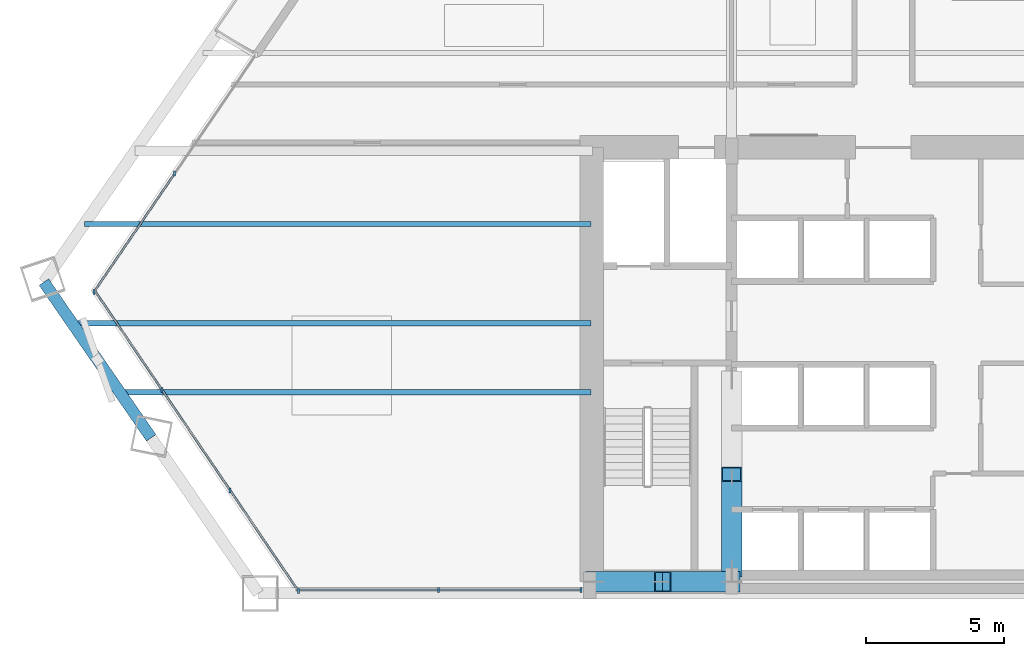
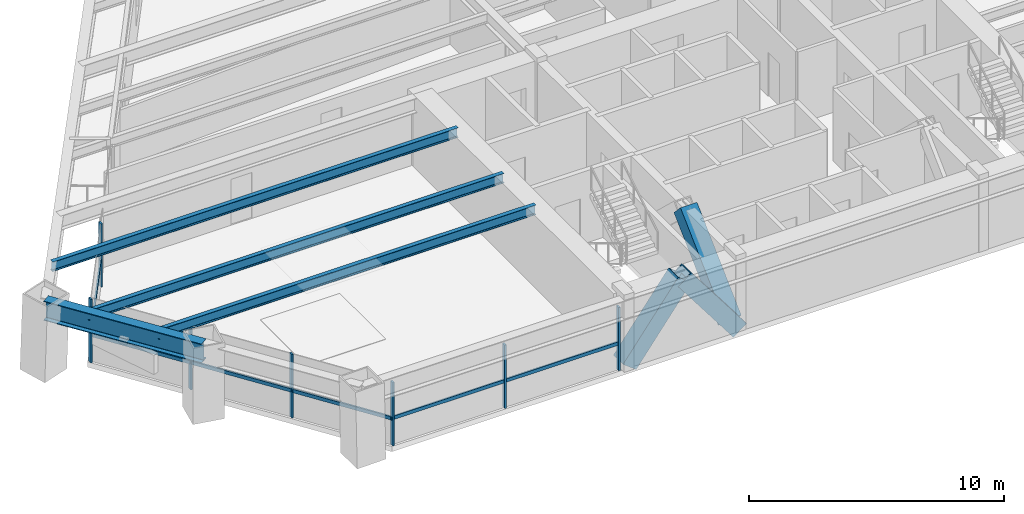
# One storey, part 2 of 14: 16 members, 4 beams, 3 elements without a shape of their own.
"""IFC4 building model written with IfcOpenShell, lengths in metres."""

from ifc_helpers import new_model, si_unit, direction, frame, origin, origin_2d, place, context, subcontext, project, spatial, rectangle, hollow_rectangle, i_section, extrude, source, transform, mapped, material, material_profile, profile_set, type_object, type_shapes, element, aggregate, save


model = new_model("IFC4")

# Units and contexts
model_context = context("Model", 3, precision=1e-05, world=origin(), true_north=direction((0.0, 1.0)))
body_context = subcontext(model_context, "Body", "Model", "MODEL_VIEW")
ifc_project = project(units=[si_unit("LENGTHUNIT", "METRE"), si_unit("AREAUNIT", "SQUARE_METRE"), si_unit("VOLUMEUNIT", "CUBIC_METRE"), si_unit("PLANEANGLEUNIT", "RADIAN"), si_unit("MASSUNIT", "GRAM", prefix="KILO")], contexts=[model_context])

# Site, building, storey
site_placement = place(None, origin())
site = spatial("IfcSite", under=ifc_project, at=site_placement, CompositionType="ELEMENT")
building_placement = place(site_placement, origin())
building = spatial("IfcBuilding", under=site, at=building_placement, Name="Varnakhor Terracotta Tower", CompositionType="ELEMENT")
storey_placement = place(building_placement, frame((0.0, 0.0, 34.89990234375)))
storey = spatial("IfcBuildingStorey", under=building, at=storey_placement, Name="L07", CompositionType="ELEMENT", Elevation=34.89990234375)

# Members
ifc_material_1 = material(Name="Steel S460", Category="steel")
ifc_material_profile_1 = material_profile(ifc_material_1, hollow_rectangle(XDim=0.75, YDim=0.75, WallThickness=0.044921875, at=origin_2d()), Name="HSS750X750X45")
ifc_profile_set_1 = profile_set([ifc_material_profile_1], Name="Steel S460")
member_type_1 = type_object("IfcMemberType", Name="MBR-MEGA-750", PredefinedType="BRACE", material=ifc_profile_set_1)
shared_shape_1 = source(origin(), body_context, "Body", "SweptSolid", [
    extrude(hollow_rectangle(XDim=0.75, YDim=0.75, WallThickness=0.044921875, at=origin_2d()), origin(), (0.0, 0.0, 1.0), 4.14013671875),
])
type_shapes(member_type_1, [shared_shape_1])
for number, where, z_axis, x_axis, name in (
    (1, (-10.5, 0.419921875, 0.0), (0.603852011179, 0.0, 0.797096448741), (0.0, 1.0, 0.0), "L07 Core Coupled Brace CSWA"),
    (2, (-5.5, 0.419921875, 0.0), (-0.603852011179, 0.0, 0.797096448741), (0.0, -1.0, 0.0), "L07 Core Coupled Brace CSWB"),
):
    element("IfcMember", number, at=place(storey_placement, frame(where, z_axis=z_axis, x_axis=x_axis)), inside=storey, type_object=member_type_1, Name=name, PredefinedType="BRACE", context=body_context, shape_type="MappedRepresentation", body=[
        mapped(shared_shape_1, transform((0.0, 0.0, 0.0), scale=1.0)),
    ])
shared_shape_2 = source(origin(), body_context, "Body", "SweptSolid", [
    extrude(hollow_rectangle(XDim=0.75, YDim=0.75, WallThickness=0.044921875, at=origin_2d()), origin(), (0.0, 0.0, 1.0), 4.792236328125),
])
member_1_placement = place(storey_placement, frame((-5.5, 0.85009765625, 0.0), z_axis=(0.0, 0.725110085518, 0.688632967466), x_axis=(-1.0, 0.0, 0.0)))
element("IfcMember", 3, at=member_1_placement, inside=storey, type_object=member_type_1, Name="L07 Core Coupled Brace CWWA", PredefinedType="BRACE", context=body_context, shape_type="MappedRepresentation", body=[
    mapped(shared_shape_2, transform((0.0, 0.0, 0.0), scale=1.0)),
])

# Beams
ifc_material_2 = material(Name="Steel S355", Category="steel")
ifc_material_profile_2 = material_profile(ifc_material_2, i_section(OverallWidth=0.41796875, OverallDepth=0.927001953125, WebThickness=0.01904296875, FlangeThickness=0.031982421875, FilletRadius=0.01806640625, at=origin_2d()), Name="W36X231")
ifc_profile_set_2 = profile_set([ifc_material_profile_2], Name="Steel S355")
beam_type_1 = type_object("IfcBeamType", Name="BM-W36X231", PredefinedType="BEAM", material=ifc_profile_set_2)
shared_shape_3 = source(origin(), body_context, "Body", "SweptSolid", [
    extrude(i_section(OverallWidth=0.41796875, OverallDepth=0.927001953125, WebThickness=0.01904296875, FlangeThickness=0.031982421875, FilletRadius=0.01806640625, at=origin_2d()), origin(), (0.0, 0.0, 1.0), 6.856201171875),
])
beam_1_placement = place(storey_placement, frame((-30.44189453125, 11.291015625, 2.986572265625), z_axis=(0.567429193458, -0.82342219451, 0.0), x_axis=(0.82342219451, 0.567429193458, 0.0)))
element("IfcBeam", 4, at=beam_1_placement, inside=storey, type_object=beam_type_1, Name="L07 Perimeter Spandrel 7", PredefinedType="BEAM", context=body_context, shape_type="MappedRepresentation", body=[
    mapped(shared_shape_3, transform((0.0, 0.0, 0.0), scale=1.0)),
])
ifc_material_profile_3 = material_profile(ifc_material_2, i_section(OverallWidth=0.19189453125, OverallDepth=0.462890625, WebThickness=0.010498046875, FlangeThickness=0.017578125, FilletRadius=0.01806640625, at=origin_2d()), Name="W18X60")
ifc_profile_set_3 = profile_set([ifc_material_profile_3], Name="Steel S355")
beam_type_2 = type_object("IfcBeamType", Name="JST-W18X60", PredefinedType="JOIST", material=ifc_profile_set_3)
shared_shape_4 = source(origin(), body_context, "Body", "SweptSolid", [
    extrude(i_section(OverallWidth=0.19189453125, OverallDepth=0.462890625, WebThickness=0.010498046875, FlangeThickness=0.017578125, FilletRadius=0.01806640625, at=origin_2d()), origin(), (0.0, 0.0, 1.0), 17.091552734375),
])
beam_2_placement = place(storey_placement, frame((-27.691650390625, 7.300048828125, 3.218505859375), z_axis=(1.0, 0.0, 0.0), x_axis=(0.0, 1.0, 0.0)))
element("IfcBeam", 5, at=beam_2_placement, inside=storey, type_object=beam_type_2, Name="L07 Floor Joist W1", PredefinedType="JOIST", context=body_context, shape_type="MappedRepresentation", body=[
    mapped(shared_shape_4, transform((0.0, 0.0, 0.0), scale=1.0)),
])
shared_shape_5 = source(origin(), body_context, "Body", "SweptSolid", [
    extrude(i_section(OverallWidth=0.19189453125, OverallDepth=0.462890625, WebThickness=0.010498046875, FlangeThickness=0.017578125, FilletRadius=0.01806640625, at=origin_2d()), origin(), (0.0, 0.0, 1.0), 18.814208984375),
])
beam_3_placement = place(storey_placement, frame((-29.414306640625, 9.800048828125, 3.218505859375), z_axis=(1.0, 0.0, 0.0), x_axis=(0.0, 1.0, 0.0)))
element("IfcBeam", 6, at=beam_3_placement, inside=storey, type_object=beam_type_2, Name="L07 Floor Joist W2", PredefinedType="JOIST", context=body_context, shape_type="MappedRepresentation", body=[
    mapped(shared_shape_5, transform((0.0, 0.0, 0.0), scale=1.0)),
])
shared_shape_6 = source(origin(), body_context, "Body", "SweptSolid", [
    extrude(i_section(OverallWidth=0.19189453125, OverallDepth=0.462890625, WebThickness=0.010498046875, FlangeThickness=0.017578125, FilletRadius=0.01806640625, at=origin_2d()), origin(), (0.0, 0.0, 1.0), 18.375732421875),
])
beam_4_placement = place(storey_placement, frame((-28.975830078125, 13.39990234375, 3.218505859375), z_axis=(1.0, 0.0, 0.0), x_axis=(0.0, 1.0, 0.0)))
element("IfcBeam", 7, at=beam_4_placement, inside=storey, type_object=beam_type_2, Name="L07 Floor Joist W3", PredefinedType="JOIST", context=body_context, shape_type="MappedRepresentation", body=[
    mapped(shared_shape_6, transform((0.0, 0.0, 0.0), scale=1.0)),
])

# Curtain wall, members
ifc_material_3 = material(Name="Anodised Aluminium Curtain Wall System", Category="aluminium")
curtain_wall_type = type_object("IfcCurtainWallType", Name="CW-SYS-LOW-OFFICE", PredefinedType="NOTDEFINED", material=ifc_material_3)
curtain_wall_1_placement = place(storey_placement, origin())
curtain_wall_1 = element("IfcCurtainWall", 8, at=curtain_wall_1_placement, inside=storey, type_object=curtain_wall_type, Name="L07 W Facet Curtain Wall 1", PredefinedType="NOTDEFINED")
ifc_material_4 = material(Name="Anodised Aluminium 6063-T6", Category="aluminium")
ifc_material_profile_4 = material_profile(ifc_material_4, rectangle(XDim=0.074951171875, YDim=0.18505859375, at=origin_2d()), Name="ALU MULLION 75x185")
ifc_profile_set_4 = profile_set([ifc_material_profile_4], Name="Anodised Aluminium 6063-T6")
member_type_2 = type_object("IfcMemberType", Name="CWM-02", PredefinedType="MULLION", material=ifc_profile_set_4)
shared_shape_7 = source(origin(), body_context, "Body", "SweptSolid", [
    extrude(rectangle(XDim=0.074951171875, YDim=0.18505859375, at=origin_2d()), origin(), (0.0, 0.0, 1.0), 3.030029296875),
])
type_shapes(member_type_2, [shared_shape_7])
member_2_placement = place(storey_placement, frame((-28.623046875, 10.9365234375, 0.0), z_axis=(0.0, 0.0, 1.0), x_axis=(1.0, 0.0, 0.0)))
member_2 = element("IfcMember", 9, at=member_2_placement, type_object=member_type_2, Name="L07 W Facet Curtain Wall 1 Mullion 1", PredefinedType="MULLION", context=body_context, shape_type="MappedRepresentation", body=[
    mapped(shared_shape_7, transform((0.0, 0.0, 0.0), scale=1.0)),
])
member_3_placement = place(storey_placement, frame((-25.6982421875, 15.225341796875, 0.0), z_axis=(0.0, 0.0, 1.0), x_axis=(1.0, 0.0, 0.0)))
member_3 = element("IfcMember", 10, at=member_3_placement, type_object=member_type_2, Name="L07 W Facet Curtain Wall 1 Mullion 2", PredefinedType="MULLION", context=body_context, shape_type="MappedRepresentation", body=[
    mapped(shared_shape_7, transform((0.0, 0.0, 0.0), scale=1.0)),
])

curtain_wall_2_placement = place(storey_placement, origin())
curtain_wall_2 = element("IfcCurtainWall", 11, at=curtain_wall_2_placement, inside=storey, type_object=curtain_wall_type, Name="L07 South Wing Curtain Wall SSW", PredefinedType="NOTDEFINED")
member_4_placement = place(storey_placement, frame((-10.969970703125, 0.1201171875, 0.0), z_axis=(0.0, 0.0, 1.0), x_axis=(1.0, 0.0, 0.0)))
member_4 = element("IfcMember", 12, at=member_4_placement, type_object=member_type_2, Name="L07 South Wing Curtain Wall SSW Mullion 1", PredefinedType="MULLION", context=body_context, shape_type="MappedRepresentation", body=[
    mapped(shared_shape_7, transform((0.0, 0.0, 0.0), scale=1.0)),
])
member_5_placement = place(storey_placement, frame((-16.128662109375, 0.1201171875, 0.0), z_axis=(0.0, 0.0, 1.0), x_axis=(1.0, 0.0, 0.0)))
member_5 = element("IfcMember", 13, at=member_5_placement, type_object=member_type_2, Name="L07 South Wing Curtain Wall SSW Mullion 2", PredefinedType="MULLION", context=body_context, shape_type="MappedRepresentation", body=[
    mapped(shared_shape_7, transform((0.0, 0.0, 0.0), scale=1.0)),
])

curtain_wall_3_placement = place(storey_placement, origin())
curtain_wall_3 = element("IfcCurtainWall", 14, at=curtain_wall_3_placement, inside=storey, type_object=curtain_wall_type, Name="L07 Facet Curtain Wall 6", PredefinedType="NOTDEFINED")
member_6_placement = place(storey_placement, frame((-21.214599609375, 0.09228515625, 0.0), z_axis=(0.0, 0.0, 1.0), x_axis=(1.0, 0.0, 0.0)))
member_6 = element("IfcMember", 15, at=member_6_placement, type_object=member_type_2, Name="L07 Facet Curtain Wall 6 Mullion 1", PredefinedType="MULLION", context=body_context, shape_type="MappedRepresentation", body=[
    mapped(shared_shape_7, transform((0.0, 0.0, 0.0), scale=1.0)),
])
member_7_placement = place(storey_placement, frame((-23.68408203125, 3.7353515625, 0.0), z_axis=(0.0, 0.0, 1.0), x_axis=(1.0, 0.0, 0.0)))
member_7 = element("IfcMember", 16, at=member_7_placement, type_object=member_type_2, Name="L07 Facet Curtain Wall 6 Mullion 2", PredefinedType="MULLION", context=body_context, shape_type="MappedRepresentation", body=[
    mapped(shared_shape_7, transform((0.0, 0.0, 0.0), scale=1.0)),
])
member_8_placement = place(storey_placement, frame((-26.153564453125, 7.378662109375, 0.0), z_axis=(0.0, 0.0, 1.0), x_axis=(1.0, 0.0, 0.0)))
member_8 = element("IfcMember", 17, at=member_8_placement, type_object=member_type_2, Name="L07 Facet Curtain Wall 6 Mullion 3", PredefinedType="MULLION", context=body_context, shape_type="MappedRepresentation", body=[
    mapped(shared_shape_7, transform((0.0, 0.0, 0.0), scale=1.0)),
])

# Member
ifc_material_profile_5 = material_profile(ifc_material_4, rectangle(XDim=0.074951171875, YDim=0.1650390625, at=origin_2d()), Name="ALU TRANSOM 75x165")
ifc_profile_set_5 = profile_set([ifc_material_profile_5], Name="Anodised Aluminium 6063-T6")
member_type_3 = type_object("IfcMemberType", Name="CWT-02", PredefinedType="USERDEFINED", material=ifc_profile_set_5)
shared_shape_8 = source(origin(), body_context, "Body", "SweptSolid", [
    extrude(rectangle(XDim=0.074951171875, YDim=0.1650390625, at=origin_2d()), origin(), (0.0, 0.0, 1.0), 5.158447265625),
])
member_9_placement = place(storey_placement, frame((-16.128662109375, 0.1201171875, 1.272705078125), z_axis=(-1.0, 0.0, 0.0), x_axis=(0.0, -1.0, 0.0)))
member_9 = element("IfcMember", 18, at=member_9_placement, type_object=member_type_3, Name="L07 South Wing Curtain Wall SSW Transom 2", ObjectType="TRANSOM", PredefinedType="USERDEFINED", context=body_context, shape_type="MappedRepresentation", body=[
    mapped(shared_shape_8, transform((0.0, 0.0, 0.0), scale=1.0)),
])

shared_shape_9 = source(origin(), body_context, "Body", "SweptSolid", [
    extrude(rectangle(XDim=0.074951171875, YDim=0.1650390625, at=origin_2d()), origin(), (0.0, 0.0, 1.0), 5.15869140625),
])
member_10_placement = place(storey_placement, frame((-10.969970703125, 0.1201171875, 1.272705078125), z_axis=(-1.0, 0.0, 0.0), x_axis=(0.0, -1.0, 0.0)))
member_10 = element("IfcMember", 19, at=member_10_placement, type_object=member_type_3, Name="L07 South Wing Curtain Wall SSW Transom 1", ObjectType="TRANSOM", PredefinedType="USERDEFINED", context=body_context, shape_type="MappedRepresentation", body=[
    mapped(shared_shape_9, transform((0.0, 0.0, 0.0), scale=1.0)),
])

aggregate(curtain_wall_2, [member_4, member_10, member_5, member_9])

shared_shape_10 = source(origin(), body_context, "Body", "SweptSolid", [
    extrude(rectangle(XDim=0.074951171875, YDim=0.1650390625, at=origin_2d()), origin(), (0.0, 0.0, 1.0), 5.191162109375),
])
member_11_placement = place(storey_placement, frame((-28.623046875, 10.9365234375, 1.272705078125), z_axis=(0.563417084418, 0.826172614522, 0.0), x_axis=(-0.826172614522, 0.563417084418, 0.0)))
member_11 = element("IfcMember", 20, at=member_11_placement, type_object=member_type_3, Name="L07 W Facet Curtain Wall 1 Transom 1", ObjectType="TRANSOM", PredefinedType="USERDEFINED", context=body_context, shape_type="MappedRepresentation", body=[
    mapped(shared_shape_10, transform((0.0, 0.0, 0.0), scale=1.0)),
])

aggregate(curtain_wall_1, [member_2, member_11, member_3])

shared_shape_11 = source(origin(), body_context, "Body", "SweptSolid", [
    extrude(rectangle(XDim=0.074951171875, YDim=0.1650390625, at=origin_2d()), origin(), (0.0, 0.0, 1.0), 4.401123046875),
])
member_12_placement = place(storey_placement, frame((-21.214599609375, 0.09228515625, 1.272705078125), z_axis=(-0.561097109782, 0.827749982419, 0.0), x_axis=(-0.827749982419, -0.561097109782, 0.0)))
member_12 = element("IfcMember", 21, at=member_12_placement, type_object=member_type_3, Name="L07 Facet Curtain Wall 6 Transom 1", ObjectType="TRANSOM", PredefinedType="USERDEFINED", context=body_context, shape_type="MappedRepresentation", body=[
    mapped(shared_shape_11, transform((0.0, 0.0, 0.0), scale=1.0)),
])

member_13_placement = place(storey_placement, frame((-26.153564453125, 7.378662109375, 1.272705078125), z_axis=(-0.561059100402, 0.827775746115, 0.0), x_axis=(-0.827775746115, -0.561059100402, 0.0)))
member_13 = element("IfcMember", 22, at=member_13_placement, type_object=member_type_3, Name="L07 Facet Curtain Wall 6 Transom 3", ObjectType="TRANSOM", PredefinedType="USERDEFINED", context=body_context, shape_type="MappedRepresentation", body=[
    mapped(shared_shape_11, transform((0.0, 0.0, 0.0), scale=1.0)),
])

shared_shape_12 = source(origin(), body_context, "Body", "SweptSolid", [
    extrude(rectangle(XDim=0.074951171875, YDim=0.1650390625, at=origin_2d()), origin(), (0.0, 0.0, 1.0), 4.4013671875),
])
member_14_placement = place(storey_placement, frame((-23.68408203125, 3.7353515625, 1.272705078125), z_axis=(-0.561071346927, 0.827767445396, 0.0), x_axis=(-0.827767445396, -0.561071346927, 0.0)))
member_14 = element("IfcMember", 23, at=member_14_placement, type_object=member_type_3, Name="L07 Facet Curtain Wall 6 Transom 2", ObjectType="TRANSOM", PredefinedType="USERDEFINED", context=body_context, shape_type="MappedRepresentation", body=[
    mapped(shared_shape_12, transform((0.0, 0.0, 0.0), scale=1.0)),
])

aggregate(curtain_wall_3, [member_6, member_12, member_7, member_14, member_8, member_13])

save(model, "model.ifc")
